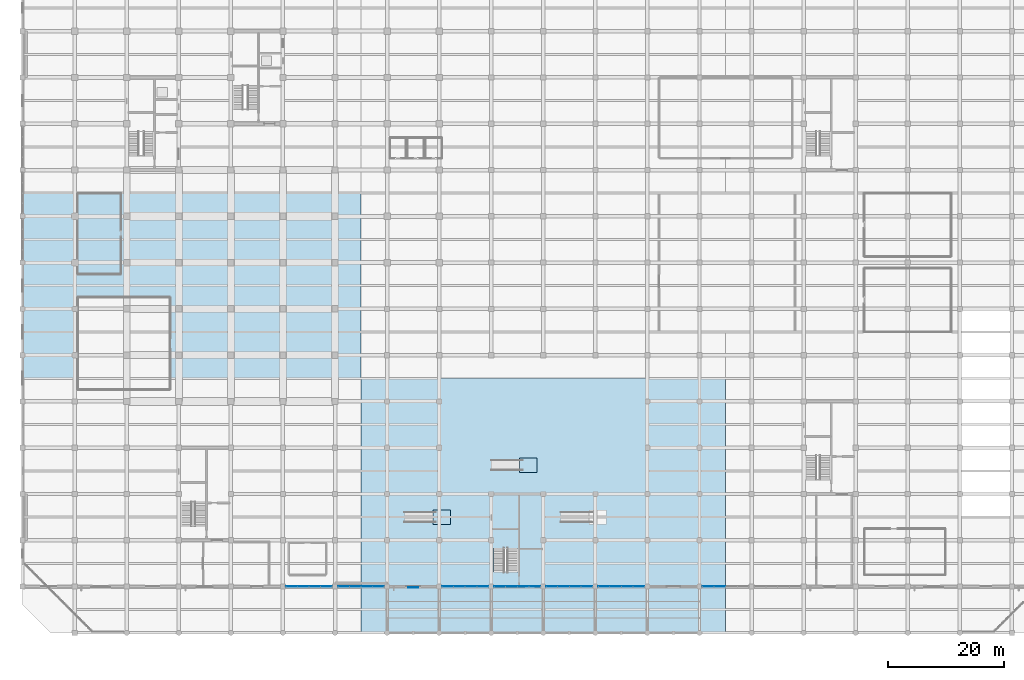
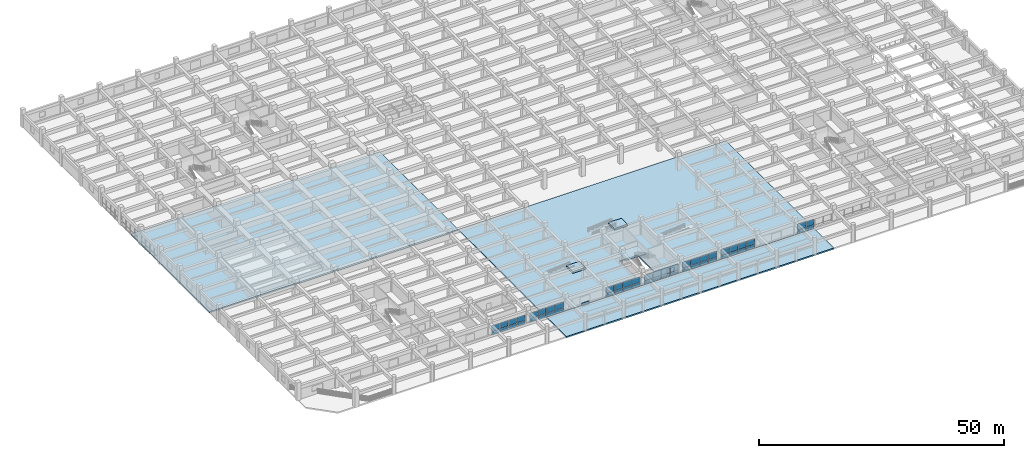
# One storey, part 17 of 40: 53 plates, 6 slabs, 10 elements without a shape of their own.
"""IFC4 building model written with IfcOpenShell, lengths in metres."""

from ifc_helpers import new_model, si_unit, direction, frame, frame_2d, origin, place, context, subcontext, project, spatial, polyline, rectangle, outline, extrude, material, layer, layer_set, type_object, element, aggregate, save


model = new_model("IFC4")

# Units and contexts
model_context = context("Model", 3, precision=1e-05, world=origin(), true_north=direction((0.0, 1.0)))
body_context = subcontext(model_context, "Body", "Model", "MODEL_VIEW")
ifc_project = project(units=[si_unit("LENGTHUNIT", "METRE"), si_unit("AREAUNIT", "SQUARE_METRE"), si_unit("VOLUMEUNIT", "CUBIC_METRE"), si_unit("PLANEANGLEUNIT", "RADIAN"), si_unit("MASSUNIT", "GRAM", prefix="KILO")], contexts=[model_context])

# Site, building, storey
site_placement = place(None, origin())
site = spatial("IfcSite", under=ifc_project, at=site_placement, CompositionType="ELEMENT")
building_placement = place(site_placement, origin())
building = spatial("IfcBuilding", under=site, at=building_placement, Name="Zaverband Oceanarium and Marine Research Institute", CompositionType="ELEMENT")
storey_placement = place(building_placement, origin())
storey = spatial("IfcBuildingStorey", under=building, at=storey_placement, Name="L00", CompositionType="ELEMENT", Elevation=0.0)

# Curtain wall, plates
ifc_material_1 = material(Name="Thermally broken anodized aluminium and solar-control glass", Category="aluminium")
curtain_wall_type = type_object("IfcCurtainWallType", Name="CW-UNIT-1800", PredefinedType="NOTDEFINED", material=ifc_material_1)
curtain_wall_1_placement = place(storey_placement, origin())
curtain_wall_1 = element("IfcCurtainWall", 1, at=curtain_wall_1_placement, inside=storey, type_object=curtain_wall_type, Name="Unitised glazed curtain wall CW-001", PredefinedType="NOTDEFINED")
ifc_material_2 = material(Name="Low-E double-glazed solar-control glass", Category="glass")
ifc_layer_1 = layer(ifc_material_2, 0.035888671875, Name="Low-E double-glazed solar-control glass")
ifc_layer_set_1 = layer_set([ifc_layer_1], Name="Low-E double-glazed solar-control glass")
plate_type_1 = type_object("IfcPlateType", Name="CWP-1765x1458", PredefinedType="CURTAIN_PANEL", material=ifc_layer_set_1)
plate_1_placement = place(storey_placement, frame((45.534912109375, 8.0, 0.991943359375), z_axis=(0.0, 0.0, 1.0), x_axis=(1.0, 0.0, 0.0)))
plate_1 = element("IfcPlate", 2, at=plate_1_placement, type_object=plate_type_1, Name="Glazed curtain wall panel CWP-1765x1458", PredefinedType="CURTAIN_PANEL", context=body_context, shape_type="SweptSolid", body=[
    extrude(rectangle(XDim=1.862548828125, YDim=0.035888671875, at=frame_2d((0.93115234375, 0.0))), origin(), (0.0, 0.0, 1.0), 1.4580078125),
])
plate_2_placement = place(storey_placement, frame((47.5576171875, 8.0, 0.991943359375), z_axis=(0.0, 0.0, 1.0), x_axis=(1.0, 0.0, 0.0)))
plate_2 = element("IfcPlate", 3, at=plate_2_placement, type_object=plate_type_1, Name="Glazed curtain wall panel CWP-1765x1458", PredefinedType="CURTAIN_PANEL", context=body_context, shape_type="SweptSolid", body=[
    extrude(rectangle(XDim=1.8623046875, YDim=0.035888671875, at=frame_2d((0.93115234375, 0.0))), origin(), (0.0, 0.0, 1.0), 1.4580078125),
])
plate_3_placement = place(storey_placement, frame((49.580078125, 8.0, 0.991943359375), z_axis=(0.0, 0.0, 1.0), x_axis=(1.0, 0.0, 0.0)))
plate_3 = element("IfcPlate", 4, at=plate_3_placement, type_object=plate_type_1, Name="Glazed curtain wall panel CWP-1765x1458", PredefinedType="CURTAIN_PANEL", context=body_context, shape_type="SweptSolid", body=[
    extrude(rectangle(XDim=1.8623046875, YDim=0.035888671875, at=frame_2d((0.93115234375, 0.0))), origin(), (0.0, 0.0, 1.0), 1.4580078125),
])
plate_4_placement = place(storey_placement, frame((51.6025390625, 8.0, 0.991943359375), z_axis=(0.0, 0.0, 1.0), x_axis=(1.0, 0.0, 0.0)))
plate_4 = element("IfcPlate", 5, at=plate_4_placement, type_object=plate_type_1, Name="Glazed curtain wall panel CWP-1765x1458", PredefinedType="CURTAIN_PANEL", context=body_context, shape_type="SweptSolid", body=[
    extrude(rectangle(XDim=1.862548828125, YDim=0.035888671875, at=frame_2d((0.93115234375, 0.0))), origin(), (0.0, 0.0, 1.0), 1.4580078125),
])

curtain_wall_2_placement = place(storey_placement, origin())
curtain_wall_2 = element("IfcCurtainWall", 6, at=curtain_wall_2_placement, inside=storey, type_object=curtain_wall_type, Name="Unitised glazed curtain wall CW-002", PredefinedType="NOTDEFINED")
plate_5_placement = place(storey_placement, frame((54.534912109375, 8.0, 0.991943359375), z_axis=(0.0, 0.0, 1.0), x_axis=(1.0, 0.0, 0.0)))
plate_5 = element("IfcPlate", 7, at=plate_5_placement, type_object=plate_type_1, Name="Glazed curtain wall panel CWP-1765x1458", PredefinedType="CURTAIN_PANEL", context=body_context, shape_type="SweptSolid", body=[
    extrude(rectangle(XDim=1.862548828125, YDim=0.035888671875, at=frame_2d((0.93115234375, 0.0))), origin(), (0.0, 0.0, 1.0), 1.4580078125),
])
plate_6_placement = place(storey_placement, frame((56.5576171875, 8.0, 0.991943359375), z_axis=(0.0, 0.0, 1.0), x_axis=(1.0, 0.0, 0.0)))
plate_6 = element("IfcPlate", 8, at=plate_6_placement, type_object=plate_type_1, Name="Glazed curtain wall panel CWP-1765x1458", PredefinedType="CURTAIN_PANEL", context=body_context, shape_type="SweptSolid", body=[
    extrude(rectangle(XDim=1.8623046875, YDim=0.035888671875, at=frame_2d((0.93115234375, 0.0))), origin(), (0.0, 0.0, 1.0), 1.4580078125),
])
plate_7_placement = place(storey_placement, frame((58.580078125, 8.0, 0.991943359375), z_axis=(0.0, 0.0, 1.0), x_axis=(1.0, 0.0, 0.0)))
plate_7 = element("IfcPlate", 9, at=plate_7_placement, type_object=plate_type_1, Name="Glazed curtain wall panel CWP-1765x1458", PredefinedType="CURTAIN_PANEL", context=body_context, shape_type="SweptSolid", body=[
    extrude(rectangle(XDim=1.8623046875, YDim=0.035888671875, at=frame_2d((0.93115234375, 0.0))), origin(), (0.0, 0.0, 1.0), 1.4580078125),
])
plate_8_placement = place(storey_placement, frame((60.6025390625, 8.0, 0.991943359375), z_axis=(0.0, 0.0, 1.0), x_axis=(1.0, 0.0, 0.0)))
plate_8 = element("IfcPlate", 10, at=plate_8_placement, type_object=plate_type_1, Name="Glazed curtain wall panel CWP-1765x1458", PredefinedType="CURTAIN_PANEL", context=body_context, shape_type="SweptSolid", body=[
    extrude(rectangle(XDim=1.862548828125, YDim=0.035888671875, at=frame_2d((0.93115234375, 0.0))), origin(), (0.0, 0.0, 1.0), 1.4580078125),
])

curtain_wall_3_placement = place(storey_placement, origin())
curtain_wall_3 = element("IfcCurtainWall", 11, at=curtain_wall_3_placement, inside=storey, type_object=curtain_wall_type, Name="Unitised glazed curtain wall CW-003", PredefinedType="NOTDEFINED")
plate_9_placement = place(storey_placement, frame((72.534912109375, 8.0, 0.991943359375), z_axis=(0.0, 0.0, 1.0), x_axis=(1.0, 0.0, 0.0)))
plate_9 = element("IfcPlate", 12, at=plate_9_placement, type_object=plate_type_1, Name="Glazed curtain wall panel CWP-1765x1458", PredefinedType="CURTAIN_PANEL", context=body_context, shape_type="SweptSolid", body=[
    extrude(rectangle(XDim=1.862548828125, YDim=0.035888671875, at=frame_2d((0.93115234375, 0.0))), origin(), (0.0, 0.0, 1.0), 1.4580078125),
])
plate_10_placement = place(storey_placement, frame((74.5576171875, 8.0, 0.991943359375), z_axis=(0.0, 0.0, 1.0), x_axis=(1.0, 0.0, 0.0)))
plate_10 = element("IfcPlate", 13, at=plate_10_placement, type_object=plate_type_1, Name="Glazed curtain wall panel CWP-1765x1458", PredefinedType="CURTAIN_PANEL", context=body_context, shape_type="SweptSolid", body=[
    extrude(rectangle(XDim=1.8623046875, YDim=0.035888671875, at=frame_2d((0.93115234375, 0.0))), origin(), (0.0, 0.0, 1.0), 1.4580078125),
])
plate_11_placement = place(storey_placement, frame((76.580078125, 8.0, 0.991943359375), z_axis=(0.0, 0.0, 1.0), x_axis=(1.0, 0.0, 0.0)))
plate_11 = element("IfcPlate", 14, at=plate_11_placement, type_object=plate_type_1, Name="Glazed curtain wall panel CWP-1765x1458", PredefinedType="CURTAIN_PANEL", context=body_context, shape_type="SweptSolid", body=[
    extrude(rectangle(XDim=1.8623046875, YDim=0.035888671875, at=frame_2d((0.93115234375, 0.0))), origin(), (0.0, 0.0, 1.0), 1.4580078125),
])
plate_12_placement = place(storey_placement, frame((78.6025390625, 8.0, 0.991943359375), z_axis=(0.0, 0.0, 1.0), x_axis=(1.0, 0.0, 0.0)))
plate_12 = element("IfcPlate", 15, at=plate_12_placement, type_object=plate_type_1, Name="Glazed curtain wall panel CWP-1765x1458", PredefinedType="CURTAIN_PANEL", context=body_context, shape_type="SweptSolid", body=[
    extrude(rectangle(XDim=1.862548828125, YDim=0.035888671875, at=frame_2d((0.93115234375, 0.0))), origin(), (0.0, 0.0, 1.0), 1.4580078125),
])

curtain_wall_4_placement = place(storey_placement, origin())
curtain_wall_4 = element("IfcCurtainWall", 16, at=curtain_wall_4_placement, inside=storey, type_object=curtain_wall_type, Name="Unitised glazed curtain wall CW-004", PredefinedType="NOTDEFINED")
plate_13_placement = place(storey_placement, frame((81.534912109375, 8.0, 0.991943359375), z_axis=(0.0, 0.0, 1.0), x_axis=(1.0, 0.0, 0.0)))
plate_13 = element("IfcPlate", 17, at=plate_13_placement, type_object=plate_type_1, Name="Glazed curtain wall panel CWP-1765x1458", PredefinedType="CURTAIN_PANEL", context=body_context, shape_type="SweptSolid", body=[
    extrude(rectangle(XDim=1.862548828125, YDim=0.035888671875, at=frame_2d((0.93115234375, 0.0))), origin(), (0.0, 0.0, 1.0), 1.4580078125),
])
plate_14_placement = place(storey_placement, frame((83.5576171875, 8.0, 0.991943359375), z_axis=(0.0, 0.0, 1.0), x_axis=(1.0, 0.0, 0.0)))
plate_14 = element("IfcPlate", 18, at=plate_14_placement, type_object=plate_type_1, Name="Glazed curtain wall panel CWP-1765x1458", PredefinedType="CURTAIN_PANEL", context=body_context, shape_type="SweptSolid", body=[
    extrude(rectangle(XDim=1.8623046875, YDim=0.035888671875, at=frame_2d((0.93115234375, 0.0))), origin(), (0.0, 0.0, 1.0), 1.4580078125),
])
plate_15_placement = place(storey_placement, frame((85.580078125, 8.0, 0.991943359375), z_axis=(0.0, 0.0, 1.0), x_axis=(1.0, 0.0, 0.0)))
plate_15 = element("IfcPlate", 19, at=plate_15_placement, type_object=plate_type_1, Name="Glazed curtain wall panel CWP-1765x1458", PredefinedType="CURTAIN_PANEL", context=body_context, shape_type="SweptSolid", body=[
    extrude(rectangle(XDim=1.8623046875, YDim=0.035888671875, at=frame_2d((0.93115234375, 0.0))), origin(), (0.0, 0.0, 1.0), 1.4580078125),
])
plate_16_placement = place(storey_placement, frame((87.6025390625, 8.0, 0.991943359375), z_axis=(0.0, 0.0, 1.0), x_axis=(1.0, 0.0, 0.0)))
plate_16 = element("IfcPlate", 20, at=plate_16_placement, type_object=plate_type_1, Name="Glazed curtain wall panel CWP-1765x1458", PredefinedType="CURTAIN_PANEL", context=body_context, shape_type="SweptSolid", body=[
    extrude(rectangle(XDim=1.862548828125, YDim=0.035888671875, at=frame_2d((0.93115234375, 0.0))), origin(), (0.0, 0.0, 1.0), 1.4580078125),
])

curtain_wall_5_placement = place(storey_placement, origin())
curtain_wall_5 = element("IfcCurtainWall", 21, at=curtain_wall_5_placement, inside=storey, type_object=curtain_wall_type, Name="Unitised glazed curtain wall CW-005", PredefinedType="NOTDEFINED")
plate_17_placement = place(storey_placement, frame((90.534912109375, 8.0, 0.991943359375), z_axis=(0.0, 0.0, 1.0), x_axis=(1.0, 0.0, 0.0)))
plate_17 = element("IfcPlate", 22, at=plate_17_placement, type_object=plate_type_1, Name="Glazed curtain wall panel CWP-1765x1458", PredefinedType="CURTAIN_PANEL", context=body_context, shape_type="SweptSolid", body=[
    extrude(rectangle(XDim=1.862548828125, YDim=0.035888671875, at=frame_2d((0.93115234375, 0.0))), origin(), (0.0, 0.0, 1.0), 1.4580078125),
])
plate_18_placement = place(storey_placement, frame((92.5576171875, 8.0, 0.991943359375), z_axis=(0.0, 0.0, 1.0), x_axis=(1.0, 0.0, 0.0)))
plate_18 = element("IfcPlate", 23, at=plate_18_placement, type_object=plate_type_1, Name="Glazed curtain wall panel CWP-1765x1458", PredefinedType="CURTAIN_PANEL", context=body_context, shape_type="SweptSolid", body=[
    extrude(rectangle(XDim=1.8623046875, YDim=0.035888671875, at=frame_2d((0.93115234375, 0.0))), origin(), (0.0, 0.0, 1.0), 1.4580078125),
])
plate_19_placement = place(storey_placement, frame((94.580078125, 8.0, 0.991943359375), z_axis=(0.0, 0.0, 1.0), x_axis=(1.0, 0.0, 0.0)))
plate_19 = element("IfcPlate", 24, at=plate_19_placement, type_object=plate_type_1, Name="Glazed curtain wall panel CWP-1765x1458", PredefinedType="CURTAIN_PANEL", context=body_context, shape_type="SweptSolid", body=[
    extrude(rectangle(XDim=1.8623046875, YDim=0.035888671875, at=frame_2d((0.93115234375, 0.0))), origin(), (0.0, 0.0, 1.0), 1.4580078125),
])
plate_20_placement = place(storey_placement, frame((96.6025390625, 8.0, 0.991943359375), z_axis=(0.0, 0.0, 1.0), x_axis=(1.0, 0.0, 0.0)))
plate_20 = element("IfcPlate", 25, at=plate_20_placement, type_object=plate_type_1, Name="Glazed curtain wall panel CWP-1765x1458", PredefinedType="CURTAIN_PANEL", context=body_context, shape_type="SweptSolid", body=[
    extrude(rectangle(XDim=1.862548828125, YDim=0.035888671875, at=frame_2d((0.93115234375, 0.0))), origin(), (0.0, 0.0, 1.0), 1.4580078125),
])

curtain_wall_6_placement = place(storey_placement, origin())
curtain_wall_6 = element("IfcCurtainWall", 26, at=curtain_wall_6_placement, inside=storey, type_object=curtain_wall_type, Name="Unitised glazed curtain wall CW-006", PredefinedType="NOTDEFINED")
plate_21_placement = place(storey_placement, frame((99.534912109375, 8.0, 0.991943359375), z_axis=(0.0, 0.0, 1.0), x_axis=(1.0, 0.0, 0.0)))
plate_21 = element("IfcPlate", 27, at=plate_21_placement, type_object=plate_type_1, Name="Glazed curtain wall panel CWP-1765x1458", PredefinedType="CURTAIN_PANEL", context=body_context, shape_type="SweptSolid", body=[
    extrude(rectangle(XDim=1.862548828125, YDim=0.035888671875, at=frame_2d((0.93115234375, 0.0))), origin(), (0.0, 0.0, 1.0), 1.4580078125),
])
plate_22_placement = place(storey_placement, frame((101.5576171875, 8.0, 0.991943359375), z_axis=(0.0, 0.0, 1.0), x_axis=(1.0, 0.0, 0.0)))
plate_22 = element("IfcPlate", 28, at=plate_22_placement, type_object=plate_type_1, Name="Glazed curtain wall panel CWP-1765x1458", PredefinedType="CURTAIN_PANEL", context=body_context, shape_type="SweptSolid", body=[
    extrude(rectangle(XDim=1.8623046875, YDim=0.035888671875, at=frame_2d((0.93115234375, 0.0))), origin(), (0.0, 0.0, 1.0), 1.4580078125),
])
plate_23_placement = place(storey_placement, frame((103.580078125, 8.0, 0.991943359375), z_axis=(0.0, 0.0, 1.0), x_axis=(1.0, 0.0, 0.0)))
plate_23 = element("IfcPlate", 29, at=plate_23_placement, type_object=plate_type_1, Name="Glazed curtain wall panel CWP-1765x1458", PredefinedType="CURTAIN_PANEL", context=body_context, shape_type="SweptSolid", body=[
    extrude(rectangle(XDim=1.8623046875, YDim=0.035888671875, at=frame_2d((0.93115234375, 0.0))), origin(), (0.0, 0.0, 1.0), 1.4580078125),
])
plate_24_placement = place(storey_placement, frame((105.6025390625, 8.0, 0.991943359375), z_axis=(0.0, 0.0, 1.0), x_axis=(1.0, 0.0, 0.0)))
plate_24 = element("IfcPlate", 30, at=plate_24_placement, type_object=plate_type_1, Name="Glazed curtain wall panel CWP-1765x1458", PredefinedType="CURTAIN_PANEL", context=body_context, shape_type="SweptSolid", body=[
    extrude(rectangle(XDim=1.862548828125, YDim=0.035888671875, at=frame_2d((0.93115234375, 0.0))), origin(), (0.0, 0.0, 1.0), 1.4580078125),
])

curtain_wall_7_placement = place(storey_placement, origin())
curtain_wall_7 = element("IfcCurtainWall", 31, at=curtain_wall_7_placement, inside=storey, type_object=curtain_wall_type, Name="Unitised glazed curtain wall CW-007", PredefinedType="NOTDEFINED")
plate_25_placement = place(storey_placement, frame((117.534912109375, 8.0, 0.991943359375), z_axis=(0.0, 0.0, 1.0), x_axis=(1.0, 0.0, 0.0)))
plate_25 = element("IfcPlate", 32, at=plate_25_placement, type_object=plate_type_1, Name="Glazed curtain wall panel CWP-1765x1458", PredefinedType="CURTAIN_PANEL", context=body_context, shape_type="SweptSolid", body=[
    extrude(rectangle(XDim=1.862548828125, YDim=0.035888671875, at=frame_2d((0.93115234375, 0.0))), origin(), (0.0, 0.0, 1.0), 1.4580078125),
])
plate_26_placement = place(storey_placement, frame((119.5576171875, 8.0, 0.991943359375), z_axis=(0.0, 0.0, 1.0), x_axis=(1.0, 0.0, 0.0)))
plate_26 = element("IfcPlate", 33, at=plate_26_placement, type_object=plate_type_1, Name="Glazed curtain wall panel CWP-1765x1458", PredefinedType="CURTAIN_PANEL", context=body_context, shape_type="SweptSolid", body=[
    extrude(rectangle(XDim=1.8623046875, YDim=0.035888671875, at=frame_2d((0.93115234375, 0.0))), origin(), (0.0, 0.0, 1.0), 1.4580078125),
])

# Plate
ifc_layer_2 = layer(ifc_material_2, 0.033935546875, Name="Low-E double-glazed solar-control glass")
ifc_layer_set_2 = layer_set([ifc_layer_2], Name="Low-E double-glazed solar-control glass")
plate_type_2 = type_object("IfcPlateType", Name="CWP-1765x872", PredefinedType="CURTAIN_PANEL", material=ifc_layer_set_2)
plate_27_placement = place(storey_placement, frame((45.534912109375, 8.0, 0.050048828125), z_axis=(0.0, 0.0, 1.0), x_axis=(1.0, 0.0, 0.0)))
plate_27 = element("IfcPlate", 34, at=plate_27_placement, type_object=plate_type_2, Name="Glazed curtain wall panel CWP-1765x872", PredefinedType="CURTAIN_PANEL", context=body_context, shape_type="SweptSolid", body=[
    extrude(rectangle(XDim=1.862548828125, YDim=0.033935546875, at=frame_2d((0.93115234375, 0.0))), origin(), (0.0, 0.0, 1.0), 0.8720703125),
])

plate_28_placement = place(storey_placement, frame((47.5576171875, 8.0, 0.050048828125), z_axis=(0.0, 0.0, 1.0), x_axis=(1.0, 0.0, 0.0)))
plate_28 = element("IfcPlate", 35, at=plate_28_placement, type_object=plate_type_2, Name="Glazed curtain wall panel CWP-1765x872", PredefinedType="CURTAIN_PANEL", context=body_context, shape_type="SweptSolid", body=[
    extrude(rectangle(XDim=1.8623046875, YDim=0.033935546875, at=frame_2d((0.93115234375, 0.0))), origin(), (0.0, 0.0, 1.0), 0.8720703125),
])

plate_29_placement = place(storey_placement, frame((49.580078125, 8.0, 0.050048828125), z_axis=(0.0, 0.0, 1.0), x_axis=(1.0, 0.0, 0.0)))
plate_29 = element("IfcPlate", 36, at=plate_29_placement, type_object=plate_type_2, Name="Glazed curtain wall panel CWP-1765x872", PredefinedType="CURTAIN_PANEL", context=body_context, shape_type="SweptSolid", body=[
    extrude(rectangle(XDim=1.8623046875, YDim=0.033935546875, at=frame_2d((0.93115234375, 0.0))), origin(), (0.0, 0.0, 1.0), 0.8720703125),
])

plate_30_placement = place(storey_placement, frame((51.6025390625, 8.0, 0.050048828125), z_axis=(0.0, 0.0, 1.0), x_axis=(1.0, 0.0, 0.0)))
plate_30 = element("IfcPlate", 37, at=plate_30_placement, type_object=plate_type_2, Name="Glazed curtain wall panel CWP-1765x872", PredefinedType="CURTAIN_PANEL", context=body_context, shape_type="SweptSolid", body=[
    extrude(rectangle(XDim=1.862548828125, YDim=0.033935546875, at=frame_2d((0.93115234375, 0.0))), origin(), (0.0, 0.0, 1.0), 0.8720703125),
])

aggregate(curtain_wall_1, [plate_27, plate_1, plate_28, plate_2, plate_29, plate_3, plate_30, plate_4])

plate_31_placement = place(storey_placement, frame((54.534912109375, 8.0, 0.050048828125), z_axis=(0.0, 0.0, 1.0), x_axis=(1.0, 0.0, 0.0)))
plate_31 = element("IfcPlate", 38, at=plate_31_placement, type_object=plate_type_2, Name="Glazed curtain wall panel CWP-1765x872", PredefinedType="CURTAIN_PANEL", context=body_context, shape_type="SweptSolid", body=[
    extrude(rectangle(XDim=1.862548828125, YDim=0.033935546875, at=frame_2d((0.93115234375, 0.0))), origin(), (0.0, 0.0, 1.0), 0.8720703125),
])

plate_32_placement = place(storey_placement, frame((56.5576171875, 8.0, 0.050048828125), z_axis=(0.0, 0.0, 1.0), x_axis=(1.0, 0.0, 0.0)))
plate_32 = element("IfcPlate", 39, at=plate_32_placement, type_object=plate_type_2, Name="Glazed curtain wall panel CWP-1765x872", PredefinedType="CURTAIN_PANEL", context=body_context, shape_type="SweptSolid", body=[
    extrude(rectangle(XDim=1.8623046875, YDim=0.033935546875, at=frame_2d((0.93115234375, 0.0))), origin(), (0.0, 0.0, 1.0), 0.8720703125),
])

plate_33_placement = place(storey_placement, frame((58.580078125, 8.0, 0.050048828125), z_axis=(0.0, 0.0, 1.0), x_axis=(1.0, 0.0, 0.0)))
plate_33 = element("IfcPlate", 40, at=plate_33_placement, type_object=plate_type_2, Name="Glazed curtain wall panel CWP-1765x872", PredefinedType="CURTAIN_PANEL", context=body_context, shape_type="SweptSolid", body=[
    extrude(rectangle(XDim=1.8623046875, YDim=0.033935546875, at=frame_2d((0.93115234375, 0.0))), origin(), (0.0, 0.0, 1.0), 0.8720703125),
])

plate_34_placement = place(storey_placement, frame((60.6025390625, 8.0, 0.050048828125), z_axis=(0.0, 0.0, 1.0), x_axis=(1.0, 0.0, 0.0)))
plate_34 = element("IfcPlate", 41, at=plate_34_placement, type_object=plate_type_2, Name="Glazed curtain wall panel CWP-1765x872", PredefinedType="CURTAIN_PANEL", context=body_context, shape_type="SweptSolid", body=[
    extrude(rectangle(XDim=1.862548828125, YDim=0.033935546875, at=frame_2d((0.93115234375, 0.0))), origin(), (0.0, 0.0, 1.0), 0.8720703125),
])

aggregate(curtain_wall_2, [plate_31, plate_5, plate_32, plate_6, plate_33, plate_7, plate_34, plate_8])

plate_35_placement = place(storey_placement, frame((72.534912109375, 8.0, 0.050048828125), z_axis=(0.0, 0.0, 1.0), x_axis=(1.0, 0.0, 0.0)))
plate_35 = element("IfcPlate", 42, at=plate_35_placement, type_object=plate_type_2, Name="Glazed curtain wall panel CWP-1765x872", PredefinedType="CURTAIN_PANEL", context=body_context, shape_type="SweptSolid", body=[
    extrude(rectangle(XDim=1.862548828125, YDim=0.033935546875, at=frame_2d((0.93115234375, 0.0))), origin(), (0.0, 0.0, 1.0), 0.8720703125),
])

plate_36_placement = place(storey_placement, frame((74.5576171875, 8.0, 0.050048828125), z_axis=(0.0, 0.0, 1.0), x_axis=(1.0, 0.0, 0.0)))
plate_36 = element("IfcPlate", 43, at=plate_36_placement, type_object=plate_type_2, Name="Glazed curtain wall panel CWP-1765x872", PredefinedType="CURTAIN_PANEL", context=body_context, shape_type="SweptSolid", body=[
    extrude(rectangle(XDim=1.8623046875, YDim=0.033935546875, at=frame_2d((0.93115234375, 0.0))), origin(), (0.0, 0.0, 1.0), 0.8720703125),
])

plate_37_placement = place(storey_placement, frame((76.580078125, 8.0, 0.050048828125), z_axis=(0.0, 0.0, 1.0), x_axis=(1.0, 0.0, 0.0)))
plate_37 = element("IfcPlate", 44, at=plate_37_placement, type_object=plate_type_2, Name="Glazed curtain wall panel CWP-1765x872", PredefinedType="CURTAIN_PANEL", context=body_context, shape_type="SweptSolid", body=[
    extrude(rectangle(XDim=1.8623046875, YDim=0.033935546875, at=frame_2d((0.93115234375, 0.0))), origin(), (0.0, 0.0, 1.0), 0.8720703125),
])

plate_38_placement = place(storey_placement, frame((78.6025390625, 8.0, 0.050048828125), z_axis=(0.0, 0.0, 1.0), x_axis=(1.0, 0.0, 0.0)))
plate_38 = element("IfcPlate", 45, at=plate_38_placement, type_object=plate_type_2, Name="Glazed curtain wall panel CWP-1765x872", PredefinedType="CURTAIN_PANEL", context=body_context, shape_type="SweptSolid", body=[
    extrude(rectangle(XDim=1.862548828125, YDim=0.033935546875, at=frame_2d((0.93115234375, 0.0))), origin(), (0.0, 0.0, 1.0), 0.8720703125),
])

aggregate(curtain_wall_3, [plate_35, plate_9, plate_36, plate_10, plate_37, plate_11, plate_38, plate_12])

plate_39_placement = place(storey_placement, frame((81.534912109375, 8.0, 0.050048828125), z_axis=(0.0, 0.0, 1.0), x_axis=(1.0, 0.0, 0.0)))
plate_39 = element("IfcPlate", 46, at=plate_39_placement, type_object=plate_type_2, Name="Glazed curtain wall panel CWP-1765x872", PredefinedType="CURTAIN_PANEL", context=body_context, shape_type="SweptSolid", body=[
    extrude(rectangle(XDim=1.862548828125, YDim=0.033935546875, at=frame_2d((0.93115234375, 0.0))), origin(), (0.0, 0.0, 1.0), 0.8720703125),
])

plate_40_placement = place(storey_placement, frame((83.5576171875, 8.0, 0.050048828125), z_axis=(0.0, 0.0, 1.0), x_axis=(1.0, 0.0, 0.0)))
plate_40 = element("IfcPlate", 47, at=plate_40_placement, type_object=plate_type_2, Name="Glazed curtain wall panel CWP-1765x872", PredefinedType="CURTAIN_PANEL", context=body_context, shape_type="SweptSolid", body=[
    extrude(rectangle(XDim=1.8623046875, YDim=0.033935546875, at=frame_2d((0.93115234375, 0.0))), origin(), (0.0, 0.0, 1.0), 0.8720703125),
])

plate_41_placement = place(storey_placement, frame((85.580078125, 8.0, 0.050048828125), z_axis=(0.0, 0.0, 1.0), x_axis=(1.0, 0.0, 0.0)))
plate_41 = element("IfcPlate", 48, at=plate_41_placement, type_object=plate_type_2, Name="Glazed curtain wall panel CWP-1765x872", PredefinedType="CURTAIN_PANEL", context=body_context, shape_type="SweptSolid", body=[
    extrude(rectangle(XDim=1.8623046875, YDim=0.033935546875, at=frame_2d((0.93115234375, 0.0))), origin(), (0.0, 0.0, 1.0), 0.8720703125),
])

plate_42_placement = place(storey_placement, frame((87.6025390625, 8.0, 0.050048828125), z_axis=(0.0, 0.0, 1.0), x_axis=(1.0, 0.0, 0.0)))
plate_42 = element("IfcPlate", 49, at=plate_42_placement, type_object=plate_type_2, Name="Glazed curtain wall panel CWP-1765x872", PredefinedType="CURTAIN_PANEL", context=body_context, shape_type="SweptSolid", body=[
    extrude(rectangle(XDim=1.862548828125, YDim=0.033935546875, at=frame_2d((0.93115234375, 0.0))), origin(), (0.0, 0.0, 1.0), 0.8720703125),
])

aggregate(curtain_wall_4, [plate_39, plate_13, plate_40, plate_14, plate_41, plate_15, plate_42, plate_16])

plate_43_placement = place(storey_placement, frame((90.534912109375, 8.0, 0.050048828125), z_axis=(0.0, 0.0, 1.0), x_axis=(1.0, 0.0, 0.0)))
plate_43 = element("IfcPlate", 50, at=plate_43_placement, type_object=plate_type_2, Name="Glazed curtain wall panel CWP-1765x872", PredefinedType="CURTAIN_PANEL", context=body_context, shape_type="SweptSolid", body=[
    extrude(rectangle(XDim=1.862548828125, YDim=0.033935546875, at=frame_2d((0.93115234375, 0.0))), origin(), (0.0, 0.0, 1.0), 0.8720703125),
])

plate_44_placement = place(storey_placement, frame((92.5576171875, 8.0, 0.050048828125), z_axis=(0.0, 0.0, 1.0), x_axis=(1.0, 0.0, 0.0)))
plate_44 = element("IfcPlate", 51, at=plate_44_placement, type_object=plate_type_2, Name="Glazed curtain wall panel CWP-1765x872", PredefinedType="CURTAIN_PANEL", context=body_context, shape_type="SweptSolid", body=[
    extrude(rectangle(XDim=1.8623046875, YDim=0.033935546875, at=frame_2d((0.93115234375, 0.0))), origin(), (0.0, 0.0, 1.0), 0.8720703125),
])

plate_45_placement = place(storey_placement, frame((94.580078125, 8.0, 0.050048828125), z_axis=(0.0, 0.0, 1.0), x_axis=(1.0, 0.0, 0.0)))
plate_45 = element("IfcPlate", 52, at=plate_45_placement, type_object=plate_type_2, Name="Glazed curtain wall panel CWP-1765x872", PredefinedType="CURTAIN_PANEL", context=body_context, shape_type="SweptSolid", body=[
    extrude(rectangle(XDim=1.8623046875, YDim=0.033935546875, at=frame_2d((0.93115234375, 0.0))), origin(), (0.0, 0.0, 1.0), 0.8720703125),
])

plate_46_placement = place(storey_placement, frame((96.6025390625, 8.0, 0.050048828125), z_axis=(0.0, 0.0, 1.0), x_axis=(1.0, 0.0, 0.0)))
plate_46 = element("IfcPlate", 53, at=plate_46_placement, type_object=plate_type_2, Name="Glazed curtain wall panel CWP-1765x872", PredefinedType="CURTAIN_PANEL", context=body_context, shape_type="SweptSolid", body=[
    extrude(rectangle(XDim=1.862548828125, YDim=0.033935546875, at=frame_2d((0.93115234375, 0.0))), origin(), (0.0, 0.0, 1.0), 0.8720703125),
])

aggregate(curtain_wall_5, [plate_43, plate_17, plate_44, plate_18, plate_45, plate_19, plate_46, plate_20])

plate_47_placement = place(storey_placement, frame((99.534912109375, 8.0, 0.050048828125), z_axis=(0.0, 0.0, 1.0), x_axis=(1.0, 0.0, 0.0)))
plate_47 = element("IfcPlate", 54, at=plate_47_placement, type_object=plate_type_2, Name="Glazed curtain wall panel CWP-1765x872", PredefinedType="CURTAIN_PANEL", context=body_context, shape_type="SweptSolid", body=[
    extrude(rectangle(XDim=1.862548828125, YDim=0.033935546875, at=frame_2d((0.93115234375, 0.0))), origin(), (0.0, 0.0, 1.0), 0.8720703125),
])

plate_48_placement = place(storey_placement, frame((101.5576171875, 8.0, 0.050048828125), z_axis=(0.0, 0.0, 1.0), x_axis=(1.0, 0.0, 0.0)))
plate_48 = element("IfcPlate", 55, at=plate_48_placement, type_object=plate_type_2, Name="Glazed curtain wall panel CWP-1765x872", PredefinedType="CURTAIN_PANEL", context=body_context, shape_type="SweptSolid", body=[
    extrude(rectangle(XDim=1.8623046875, YDim=0.033935546875, at=frame_2d((0.93115234375, 0.0))), origin(), (0.0, 0.0, 1.0), 0.8720703125),
])

plate_49_placement = place(storey_placement, frame((103.580078125, 8.0, 0.050048828125), z_axis=(0.0, 0.0, 1.0), x_axis=(1.0, 0.0, 0.0)))
plate_49 = element("IfcPlate", 56, at=plate_49_placement, type_object=plate_type_2, Name="Glazed curtain wall panel CWP-1765x872", PredefinedType="CURTAIN_PANEL", context=body_context, shape_type="SweptSolid", body=[
    extrude(rectangle(XDim=1.8623046875, YDim=0.033935546875, at=frame_2d((0.93115234375, 0.0))), origin(), (0.0, 0.0, 1.0), 0.8720703125),
])

plate_50_placement = place(storey_placement, frame((105.6025390625, 8.0, 0.050048828125), z_axis=(0.0, 0.0, 1.0), x_axis=(1.0, 0.0, 0.0)))
plate_50 = element("IfcPlate", 57, at=plate_50_placement, type_object=plate_type_2, Name="Glazed curtain wall panel CWP-1765x872", PredefinedType="CURTAIN_PANEL", context=body_context, shape_type="SweptSolid", body=[
    extrude(rectangle(XDim=1.862548828125, YDim=0.033935546875, at=frame_2d((0.93115234375, 0.0))), origin(), (0.0, 0.0, 1.0), 0.8720703125),
])

aggregate(curtain_wall_6, [plate_47, plate_21, plate_48, plate_22, plate_49, plate_23, plate_50, plate_24])

plate_51_placement = place(storey_placement, frame((117.534912109375, 8.0, 0.050048828125), z_axis=(0.0, 0.0, 1.0), x_axis=(1.0, 0.0, 0.0)))
plate_51 = element("IfcPlate", 58, at=plate_51_placement, type_object=plate_type_2, Name="Glazed curtain wall panel CWP-1765x872", PredefinedType="CURTAIN_PANEL", context=body_context, shape_type="SweptSolid", body=[
    extrude(rectangle(XDim=1.862548828125, YDim=0.033935546875, at=frame_2d((0.93115234375, 0.0))), origin(), (0.0, 0.0, 1.0), 0.8720703125),
])

plate_52_placement = place(storey_placement, frame((119.5576171875, 8.0, 0.050048828125), z_axis=(0.0, 0.0, 1.0), x_axis=(1.0, 0.0, 0.0)))
plate_52 = element("IfcPlate", 59, at=plate_52_placement, type_object=plate_type_2, Name="Glazed curtain wall panel CWP-1765x872", PredefinedType="CURTAIN_PANEL", context=body_context, shape_type="SweptSolid", body=[
    extrude(rectangle(XDim=1.8623046875, YDim=0.033935546875, at=frame_2d((0.93115234375, 0.0))), origin(), (0.0, 0.0, 1.0), 0.8720703125),
])

aggregate(curtain_wall_7, [plate_51, plate_25, plate_52, plate_26])

ifc_material_3 = material(Name="Concrete C40/50 precast ochre", Category="concrete")
ifc_layer_3 = layer(ifc_material_3, 0.070068359375, Name="Concrete C40/50 precast ochre")
ifc_layer_set_3 = layer_set([ifc_layer_3], Name="Concrete C40/50 precast ochre")
plate_type_3 = type_object("IfcPlateType", Name="FRP-1750x700", PredefinedType="USERDEFINED", material=ifc_layer_set_3)
plate_53_placement = place(storey_placement, frame((66.625, 7.847412109375, 0.0), z_axis=(0.0, 0.0, 1.0), x_axis=(1.0, 0.0, 0.0)))
element("IfcPlate", 60, at=plate_53_placement, inside=storey, type_object=plate_type_3, Name="Geometric precast facade cladding panel FRP-1750x700", ObjectType="FLANGE_PLATE", PredefinedType="USERDEFINED", context=body_context, shape_type="SweptSolid", body=[
    extrude(rectangle(XDim=1.75, YDim=0.070068359375, at=frame_2d((0.875, 0.0))), origin(), (0.0, 0.0, 1.0), 0.699951171875),
])

# Slab
ifc_material_4 = material(Name="Concrete C40/50", Category="concrete")
ifc_layer_4 = layer(ifc_material_4, 0.340087890625, Name="Concrete C40/50")
ifc_layer_set_4 = layer_set([ifc_layer_4], Name="Concrete C40/50")
slab_type_1 = type_object("IfcSlabType", Name="SLB-ARC-340", PredefinedType="FLOOR", material=ifc_layer_set_4)
slab_1_placement = place(storey_placement, frame((0.0, 0.0, -0.340087890625)))
element("IfcSlab", 61, at=slab_1_placement, inside=storey, type_object=slab_type_1, Name="Exterior terrace / balcony deck SLB-ARC-340", PredefinedType="FLOOR", context=body_context, shape_type="SweptSolid", body=[
    extrude(outline(polyline([(58.514892578125, 0.0), (121.485107421875, 0.0), (121.485107421875, 7.985107421875), (58.514892578125, 7.985107421875), (58.514892578125, 0.0)])), origin(), (0.0, 0.0, 1.0), 0.340087890625),
])

# Stair, slab
stair_type = type_object("IfcStairType", Name="STR-POD-1800-4500", PredefinedType="HALF_TURN_STAIR", material=ifc_material_4)
stair_placement = place(storey_placement, origin())
stair = element("IfcStair", 62, at=stair_placement, inside=storey, type_object=stair_type, Name="Exit Stair ST-06 (L00)", PredefinedType="HALF_TURN_STAIR")
ifc_layer_5 = layer(ifc_material_4, 0.219970703125, Name="Concrete C40/50")
ifc_layer_set_5 = layer_set([ifc_layer_5], Name="Concrete C40/50")
slab_type_2 = type_object("IfcSlabType", Name="SLB-LND-220", PredefinedType="LANDING", material=ifc_layer_set_5)
slab_2_placement = place(storey_placement, frame((0.0, 0.0, 2.030029296875)))
slab_2 = element("IfcSlab", 63, at=slab_2_placement, type_object=slab_type_2, Name="Stair / ramp landing slab SLB-LND-220", PredefinedType="LANDING", context=body_context, shape_type="SweptSolid", body=[
    extrude(outline(polyline([(81.139892578125, 14.570068359375), (85.735107421875, 14.570068359375), (85.735107421875, 17.93505859375), (81.139892578125, 17.93505859375), (81.139892578125, 14.570068359375)])), origin(), (0.0, 0.0, 1.0), 0.219970703125),
])
aggregate(stair, [slab_2])

# Ramp, slab
ifc_layer_6 = layer(ifc_material_4, 0.219970703125, Name="Concrete C40/50")
ifc_layer_set_6 = layer_set([ifc_layer_6], Name="Concrete C40/50")
ramp_type = type_object("IfcRampType", Name="RMP-PED-1800", PredefinedType="STRAIGHT_RUN_RAMP", material=ifc_layer_set_6)
ramp_1_placement = place(storey_placement, origin())
ramp_1 = element("IfcRamp", 64, at=ramp_1_placement, inside=storey, type_object=ramp_type, Name="Accessible Viewing Gallery Ramp PR-03", PredefinedType="STRAIGHT_RUN_RAMP")
ifc_layer_7 = layer(ifc_material_4, 0.449951171875, Name="Concrete C40/50")
ifc_layer_set_7 = layer_set([ifc_layer_7], Name="Concrete C40/50")
slab_type_3 = type_object("IfcSlabType", Name="SLB-LND-450", PredefinedType="LANDING", material=ifc_layer_set_7)
slab_3_placement = place(storey_placement, origin())
slab_3 = element("IfcSlab", 65, at=slab_3_placement, type_object=slab_type_3, Name="Stair / ramp landing slab SLB-LND-450", PredefinedType="LANDING", context=body_context, shape_type="SweptSolid", body=[
    extrude(outline(polyline([(70.89990234375, 18.75), (73.949951171875, 18.75), (73.949951171875, 21.25), (70.89990234375, 21.25), (70.89990234375, 18.75)])), origin(), (0.0, 0.0, 1.0), 0.449951171875),
])
aggregate(ramp_1, [slab_3])

ramp_2_placement = place(storey_placement, origin())
ramp_2 = element("IfcRamp", 66, at=ramp_2_placement, inside=storey, type_object=ramp_type, Name="Accessible Viewing Gallery Ramp PR-04", PredefinedType="STRAIGHT_RUN_RAMP")
slab_4_placement = place(storey_placement, origin())
slab_4 = element("IfcSlab", 67, at=slab_4_placement, type_object=slab_type_3, Name="Stair / ramp landing slab SLB-LND-450", PredefinedType="LANDING", context=body_context, shape_type="SweptSolid", body=[
    extrude(outline(polyline([(85.89990234375, 27.75), (88.949951171875, 27.75), (88.949951171875, 30.25), (85.89990234375, 30.25), (85.89990234375, 27.75)])), origin(), (0.0, 0.0, 1.0), 0.449951171875),
])
aggregate(ramp_2, [slab_4])

# Slabs
ifc_layer_8 = layer(ifc_material_4, 0.35009765625, Name="Concrete C40/50")
ifc_layer_set_8 = layer_set([ifc_layer_8], Name="Concrete C40/50")
slab_type_4 = type_object("IfcSlabType", Name="SLB-PLZ-350", PredefinedType="FLOOR", material=ifc_layer_set_8)
slab_5_placement = place(storey_placement, frame((0.0, 0.0, -0.35009765625)))
element("IfcSlab", 68, at=slab_5_placement, inside=storey, type_object=slab_type_4, Name="Suspended floor slab SLB-PLZ-350", PredefinedType="FLOOR", context=body_context, shape_type="SweptSolid", body=[
    extrude(outline(polyline([(58.514892578125, 43.985107421875), (121.485107421875, 43.985107421875), (121.485107421875, 8.014892578125), (58.514892578125, 8.014892578125), (58.514892578125, 43.985107421875)]), holes=[polyline([(81.35009765625, 17.85009765625), (81.35009765625, 10.5), (85.64990234375, 10.5), (85.64990234375, 17.85009765625), (81.35009765625, 17.85009765625)])]), origin(), (0.0, 0.0, 1.0), 0.35009765625),
])
slab_6_placement = place(storey_placement, frame((0.0, 0.0, -0.35009765625)))
element("IfcSlab", 69, at=slab_6_placement, inside=storey, type_object=slab_type_4, Name="Suspended floor slab SLB-PLZ-350", PredefinedType="FLOOR", context=body_context, shape_type="SweptSolid", body=[
    extrude(outline(polyline([(0.0, 75.985107421875), (58.485107421875, 75.985107421875), (58.485107421875, 44.014892578125), (0.0, 44.014892578125), (0.0, 75.985107421875)])), origin(), (0.0, 0.0, 1.0), 0.35009765625),
])

save(model, "model.ifc")
